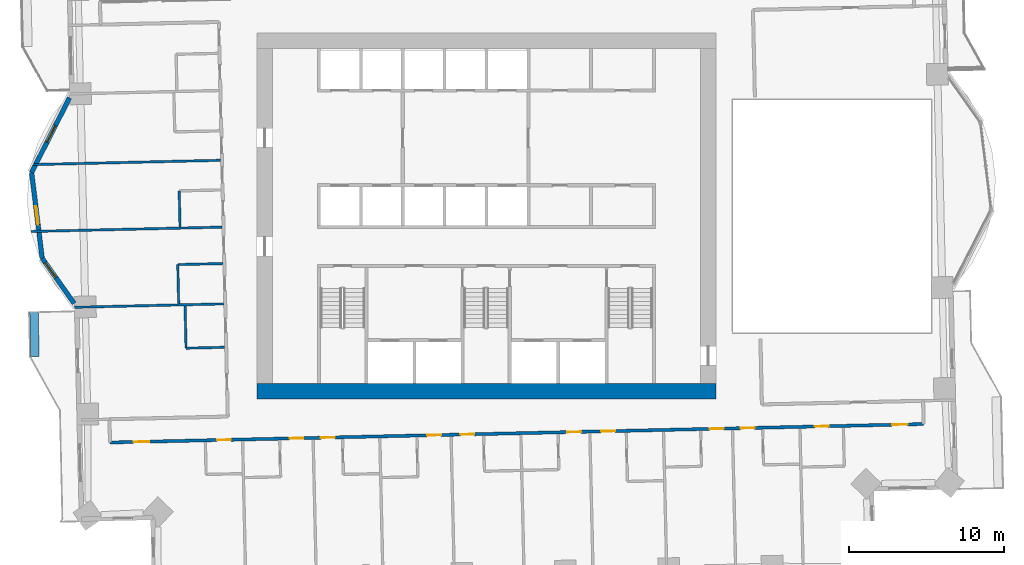
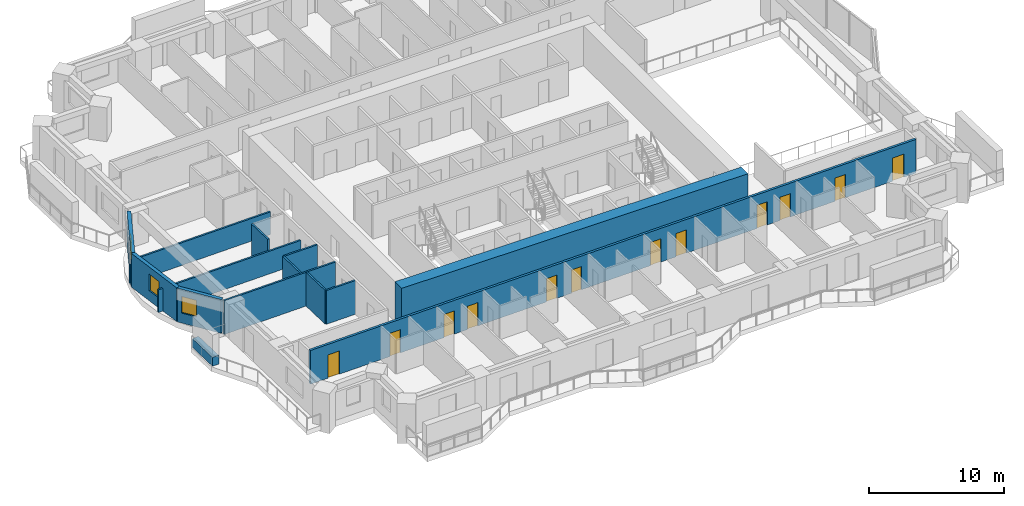
# One storey, part 7 of 17: 14 walls, 12 doors, 3 windows, 15 openings.
"""IFC4 building model written with IfcOpenShell, lengths in metres."""

from ifc_helpers import new_model, si_unit, direction, frame, frame_2d, origin, place, context, subcontext, project, spatial, rectangle, extrude, material, layer, layer_set, type_object, element, fill, save


model = new_model("IFC4")

# Units and contexts
model_context = context("Model", 3, precision=1e-05, world=origin(), true_north=direction((0.0, 1.0)))
body_context = subcontext(model_context, "Body", "Model", "MODEL_VIEW")
ifc_project = project(units=[si_unit("LENGTHUNIT", "METRE"), si_unit("AREAUNIT", "SQUARE_METRE"), si_unit("VOLUMEUNIT", "CUBIC_METRE"), si_unit("PLANEANGLEUNIT", "RADIAN"), si_unit("MASSUNIT", "GRAM", prefix="KILO")], contexts=[model_context])

# Site, building, storey
site_placement = place(None, origin())
site = spatial("IfcSite", under=ifc_project, at=site_placement, CompositionType="ELEMENT")
building_placement = place(site_placement, origin())
building = spatial("IfcBuilding", under=site, at=building_placement, Name="Mangrove Gate Tower", CompositionType="ELEMENT")
storey_placement = place(building_placement, frame((0.0, 0.0, 90.10009765625)))
storey = spatial("IfcBuildingStorey", under=building, at=storey_placement, Name="L22", CompositionType="ELEMENT", Elevation=90.10009765625)

# Wall
ifc_material_1 = material(Name="Concrete C70/85", Category="concrete")
ifc_layer_1 = layer(ifc_material_1, 1.0)
ifc_layer_set_1 = layer_set([ifc_layer_1], Name="Core wall 1000 C70/85")
wall_type_1 = type_object("IfcWallType", Name="Core wall 1000 C70/85", PredefinedType="SHEAR", material=ifc_layer_set_1)
wall_1_placement = place(storey_placement, frame((-14.800048828125, -11.300048828125, 0.0), z_axis=(0.0, 0.0, 1.0), x_axis=(1.0, 0.0, 0.0)))
element("IfcWall", 1, at=wall_1_placement, inside=storey, type_object=wall_type_1, Name="WALL-L22-CORE-1", PredefinedType="SHEAR", context=body_context, shape_type="SweptSolid", body=[
    extrude(rectangle(XDim=29.60009765625, YDim=1.0, at=frame_2d((14.800048828125, 0.0))), origin(), (0.0, 0.0, 1.0), 3.599853515625),
])

# Wall, openings, doors
ifc_material_2 = material(Name="Gypsum board on steel stud, EI 60", Category="steel")
ifc_layer_2 = layer(ifc_material_2, 0.199951171875)
ifc_layer_set_2 = layer_set([ifc_layer_2], Name="Corridor wall EI 60")
wall_type_2 = type_object("IfcWallType", Name="Corridor wall EI 60", PredefinedType="PARTITIONING", material=ifc_layer_set_2)
wall_2_placement = place(storey_placement, frame((-24.27392578125, -14.591064453125, 0.0), z_axis=(0.0, 0.0, 1.0), x_axis=(0.999742718753, 0.022682510909, 0.0)))
wall_2 = element("IfcWall", 2, at=wall_2_placement, inside=storey, type_object=wall_type_2, Name="WALL-L22-030", PredefinedType="PARTITIONING", context=body_context, shape_type="SweptSolid", body=[
    extrude(rectangle(XDim=52.471435546875, YDim=0.199951171875, at=frame_2d((26.23583984375, 0.0))), origin(), (0.0, 0.0, 1.0), 3.0498046875),
])
opening_1_placement = place(wall_2_placement, frame((1.52490234375, 0.0, 0.0)))
opening_1 = element("IfcOpeningElement", 3, at=opening_1_placement, cuts=wall_2, Name="Opening AD", PredefinedType="OPENING", context=body_context, shape_type="SweptSolid", body=[
    extrude(rectangle(XDim=1.0, YDim=2.10009765625, at=frame_2d((0.5, 1.050048828125))), frame((0.0, 0.10986328125, 0.0), z_axis=(0.0, -1.0, 0.0), x_axis=(1.0, 0.0, 0.0)), (0.0, 0.0, 1.0), 0.219970703125),
])
opening_2_placement = place(wall_2_placement, frame((6.89990234375, 0.0, 0.0)))
opening_2 = element("IfcOpeningElement", 4, at=opening_2_placement, cuts=wall_2, Name="Opening SD", PredefinedType="OPENING", context=body_context, shape_type="SweptSolid", body=[
    extrude(rectangle(XDim=0.89990234375, YDim=2.10009765625, at=frame_2d((0.449951171875, 1.050048828125))), frame((0.0, 0.10986328125, 0.0), z_axis=(0.0, -1.0, 0.0), x_axis=(1.0, 0.0, 0.0)), (0.0, 0.0, 1.0), 0.219970703125),
])
opening_3_placement = place(wall_2_placement, frame((11.574951171875, 0.0, 0.0)))
opening_3 = element("IfcOpeningElement", 5, at=opening_3_placement, cuts=wall_2, Name="Opening BD", PredefinedType="OPENING", context=body_context, shape_type="SweptSolid", body=[
    extrude(rectangle(XDim=0.89990234375, YDim=2.10009765625, at=frame_2d((0.449951171875, 1.050048828125))), frame((0.0, 0.10986328125, 0.0), z_axis=(0.0, -1.0, 0.0), x_axis=(1.0, 0.0, 0.0)), (0.0, 0.0, 1.0), 0.219970703125),
])
opening_4_placement = place(wall_2_placement, frame((13.60009765625, 0.0, 0.0)))
opening_4 = element("IfcOpeningElement", 6, at=opening_4_placement, cuts=wall_2, Name="Opening BD", PredefinedType="OPENING", context=body_context, shape_type="SweptSolid", body=[
    extrude(rectangle(XDim=0.89990234375, YDim=2.10009765625, at=frame_2d((0.449951171875, 1.050048828125))), frame((0.0, 0.10986328125, 0.0), z_axis=(0.0, -1.0, 0.0), x_axis=(1.0, 0.0, 0.0)), (0.0, 0.0, 1.0), 0.219970703125),
])
opening_5_placement = place(wall_2_placement, frame((20.449951171875, 0.0, 0.0)))
opening_5 = element("IfcOpeningElement", 7, at=opening_5_placement, cuts=wall_2, Name="Opening BD", PredefinedType="OPENING", context=body_context, shape_type="SweptSolid", body=[
    extrude(rectangle(XDim=0.89990234375, YDim=2.10009765625, at=frame_2d((0.449951171875, 1.050048828125))), frame((0.0, 0.10986328125, 0.0), z_axis=(0.0, -1.0, 0.0), x_axis=(1.0, 0.0, 0.0)), (0.0, 0.0, 1.0), 0.219970703125),
])
opening_6_placement = place(wall_2_placement, frame((22.60009765625, 0.0, 0.0)))
opening_6 = element("IfcOpeningElement", 8, at=opening_6_placement, cuts=wall_2, Name="Opening BD", PredefinedType="OPENING", context=body_context, shape_type="SweptSolid", body=[
    extrude(rectangle(XDim=0.89990234375, YDim=2.10009765625, at=frame_2d((0.449951171875, 1.050048828125))), frame((0.0, 0.10986328125, 0.0), z_axis=(0.0, -1.0, 0.0), x_axis=(1.0, 0.0, 0.0)), (0.0, 0.0, 1.0), 0.219970703125),
])
opening_7_placement = place(wall_2_placement, frame((29.47509765625, 0.0, 0.0)))
opening_7 = element("IfcOpeningElement", 9, at=opening_7_placement, cuts=wall_2, Name="Opening BD", PredefinedType="OPENING", context=body_context, shape_type="SweptSolid", body=[
    extrude(rectangle(XDim=0.89990234375, YDim=2.10009765625, at=frame_2d((0.449951171875, 1.050048828125))), frame((0.0, 0.10986328125, 0.0), z_axis=(0.0, -1.0, 0.0), x_axis=(1.0, 0.0, 0.0)), (0.0, 0.0, 1.0), 0.219970703125),
])
opening_8_placement = place(wall_2_placement, frame((31.675048828125, 0.0, 0.0)))
opening_8 = element("IfcOpeningElement", 10, at=opening_8_placement, cuts=wall_2, Name="Opening BD", PredefinedType="OPENING", context=body_context, shape_type="SweptSolid", body=[
    extrude(rectangle(XDim=0.89990234375, YDim=2.10009765625, at=frame_2d((0.449951171875, 1.050048828125))), frame((0.0, 0.10986328125, 0.0), z_axis=(0.0, -1.0, 0.0), x_axis=(1.0, 0.0, 0.0)), (0.0, 0.0, 1.0), 0.219970703125),
])
opening_9_placement = place(wall_2_placement, frame((38.675048828125, 0.0, 0.0)))
opening_9 = element("IfcOpeningElement", 11, at=opening_9_placement, cuts=wall_2, Name="Opening BD", PredefinedType="OPENING", context=body_context, shape_type="SweptSolid", body=[
    extrude(rectangle(XDim=0.89990234375, YDim=2.10009765625, at=frame_2d((0.449951171875, 1.050048828125))), frame((0.0, 0.10986328125, 0.0), z_axis=(0.0, -1.0, 0.0), x_axis=(1.0, 0.0, 0.0)), (0.0, 0.0, 1.0), 0.219970703125),
])
opening_10_placement = place(wall_2_placement, frame((40.675048828125, 0.0, 0.0)))
opening_10 = element("IfcOpeningElement", 12, at=opening_10_placement, cuts=wall_2, Name="Opening BD", PredefinedType="OPENING", context=body_context, shape_type="SweptSolid", body=[
    extrude(rectangle(XDim=0.89990234375, YDim=2.10009765625, at=frame_2d((0.449951171875, 1.050048828125))), frame((0.0, 0.10986328125, 0.0), z_axis=(0.0, -1.0, 0.0), x_axis=(1.0, 0.0, 0.0)), (0.0, 0.0, 1.0), 0.219970703125),
])
opening_11_placement = place(wall_2_placement, frame((50.43603515625, 0.0, 0.0)))
opening_11 = element("IfcOpeningElement", 13, at=opening_11_placement, cuts=wall_2, Name="Opening AD", PredefinedType="OPENING", context=body_context, shape_type="SweptSolid", body=[
    extrude(rectangle(XDim=1.0, YDim=2.10009765625, at=frame_2d((0.5, 1.050048828125))), frame((0.0, 0.10986328125, 0.0), z_axis=(0.0, -1.0, 0.0), x_axis=(1.0, 0.0, 0.0)), (0.0, 0.0, 1.0), 0.219970703125),
])
opening_12_placement = place(wall_2_placement, frame((45.449951171875, 0.0, 0.0)))
opening_12 = element("IfcOpeningElement", 14, at=opening_12_placement, cuts=wall_2, Name="Opening SD", PredefinedType="OPENING", context=body_context, shape_type="SweptSolid", body=[
    extrude(rectangle(XDim=0.89990234375, YDim=2.10009765625, at=frame_2d((0.449951171875, 1.050048828125))), frame((0.0, 0.10986328125, 0.0), z_axis=(0.0, -1.0, 0.0), x_axis=(1.0, 0.0, 0.0)), (0.0, 0.0, 1.0), 0.219970703125),
])
ifc_material_3 = material(Name="Timber door leaf", Category="wood")
door_type_1 = type_object("IfcDoorType", Name="Amenity door 1000", OperationType="SINGLE_SWING_LEFT", PredefinedType="DOOR", material=ifc_material_3)
door_1_placement = place(opening_1_placement, origin())
door_1 = element("IfcDoor", 15, at=door_1_placement, inside=storey, type_object=door_type_1, Name="DOOR-L22-LNG-c1a", OperationType="SINGLE_SWING_LEFT", OverallHeight=2.10009765625, OverallWidth=1.0, PredefinedType="DOOR", context=body_context, shape_type="SweptSolid", body=[
    extrude(rectangle(XDim=1.0, YDim=2.10009765625, at=frame_2d((0.5, 1.050048828125))), frame((0.0, 0.02490234375, 0.0), z_axis=(0.0, -1.0, 0.0), x_axis=(1.0, 0.0, 0.0)), (0.0, 0.0, 1.0), 0.050048828125),
])
fill(opening_1, door_1)
door_2_placement = place(opening_11_placement, origin())
door_2 = element("IfcDoor", 16, at=door_2_placement, inside=storey, type_object=door_type_1, Name="DOOR-L22-STU-c3a", OperationType="SINGLE_SWING_RIGHT", OverallHeight=2.10009765625, OverallWidth=1.0, PredefinedType="DOOR", context=body_context, shape_type="SweptSolid", body=[
    extrude(rectangle(XDim=1.0, YDim=2.10009765625, at=frame_2d((0.5, 1.050048828125))), frame((0.0, 0.02490234375, 0.0), z_axis=(0.0, -1.0, 0.0), x_axis=(1.0, 0.0, 0.0)), (0.0, 0.0, 1.0), 0.050048828125),
])
fill(opening_11, door_2)
ifc_material_4 = material(Name="Timber door leaf", Category="wood")
door_type_2 = type_object("IfcDoorType", Name="Bedroom door 900", OperationType="SINGLE_SWING_LEFT", PredefinedType="DOOR", material=ifc_material_4)
door_3_placement = place(opening_3_placement, origin())
door_3 = element("IfcDoor", 17, at=door_3_placement, inside=storey, type_object=door_type_2, Name="DOOR-L22-BED-c101", OperationType="SINGLE_SWING_LEFT", OverallHeight=2.10009765625, OverallWidth=0.89990234375, PredefinedType="DOOR", context=body_context, shape_type="SweptSolid", body=[
    extrude(rectangle(XDim=0.89990234375, YDim=2.10009765625, at=frame_2d((0.449951171875, 1.050048828125))), frame((0.0, 0.02490234375, 0.0), z_axis=(0.0, -1.0, 0.0), x_axis=(1.0, 0.0, 0.0)), (0.0, 0.0, 1.0), 0.050048828125),
])
fill(opening_3, door_3)
door_4_placement = place(opening_4_placement, origin())
door_4 = element("IfcDoor", 18, at=door_4_placement, inside=storey, type_object=door_type_2, Name="DOOR-L22-BED-c102", OperationType="SINGLE_SWING_RIGHT", OverallHeight=2.10009765625, OverallWidth=0.89990234375, PredefinedType="DOOR", context=body_context, shape_type="SweptSolid", body=[
    extrude(rectangle(XDim=0.89990234375, YDim=2.10009765625, at=frame_2d((0.449951171875, 1.050048828125))), frame((0.0, 0.02490234375, 0.0), z_axis=(0.0, -1.0, 0.0), x_axis=(1.0, 0.0, 0.0)), (0.0, 0.0, 1.0), 0.050048828125),
])
fill(opening_4, door_4)
door_5_placement = place(opening_5_placement, origin())
door_5 = element("IfcDoor", 19, at=door_5_placement, inside=storey, type_object=door_type_2, Name="DOOR-L22-BED-c103", OperationType="SINGLE_SWING_LEFT", OverallHeight=2.10009765625, OverallWidth=0.89990234375, PredefinedType="DOOR", context=body_context, shape_type="SweptSolid", body=[
    extrude(rectangle(XDim=0.89990234375, YDim=2.10009765625, at=frame_2d((0.449951171875, 1.050048828125))), frame((0.0, 0.02490234375, 0.0), z_axis=(0.0, -1.0, 0.0), x_axis=(1.0, 0.0, 0.0)), (0.0, 0.0, 1.0), 0.050048828125),
])
fill(opening_5, door_5)
door_6_placement = place(opening_6_placement, origin())
door_6 = element("IfcDoor", 20, at=door_6_placement, inside=storey, type_object=door_type_2, Name="DOOR-L22-BED-c104", OperationType="SINGLE_SWING_RIGHT", OverallHeight=2.10009765625, OverallWidth=0.89990234375, PredefinedType="DOOR", context=body_context, shape_type="SweptSolid", body=[
    extrude(rectangle(XDim=0.89990234375, YDim=2.10009765625, at=frame_2d((0.449951171875, 1.050048828125))), frame((0.0, 0.02490234375, 0.0), z_axis=(0.0, -1.0, 0.0), x_axis=(1.0, 0.0, 0.0)), (0.0, 0.0, 1.0), 0.050048828125),
])
fill(opening_6, door_6)
door_7_placement = place(opening_7_placement, origin())
door_7 = element("IfcDoor", 21, at=door_7_placement, inside=storey, type_object=door_type_2, Name="DOOR-L22-BED-c205", OperationType="SINGLE_SWING_LEFT", OverallHeight=2.10009765625, OverallWidth=0.89990234375, PredefinedType="DOOR", context=body_context, shape_type="SweptSolid", body=[
    extrude(rectangle(XDim=0.89990234375, YDim=2.10009765625, at=frame_2d((0.449951171875, 1.050048828125))), frame((0.0, 0.02490234375, 0.0), z_axis=(0.0, -1.0, 0.0), x_axis=(1.0, 0.0, 0.0)), (0.0, 0.0, 1.0), 0.050048828125),
])
fill(opening_7, door_7)
door_8_placement = place(opening_8_placement, origin())
door_8 = element("IfcDoor", 22, at=door_8_placement, inside=storey, type_object=door_type_2, Name="DOOR-L22-BED-c206", OperationType="SINGLE_SWING_RIGHT", OverallHeight=2.10009765625, OverallWidth=0.89990234375, PredefinedType="DOOR", context=body_context, shape_type="SweptSolid", body=[
    extrude(rectangle(XDim=0.89990234375, YDim=2.10009765625, at=frame_2d((0.449951171875, 1.050048828125))), frame((0.0, 0.02490234375, 0.0), z_axis=(0.0, -1.0, 0.0), x_axis=(1.0, 0.0, 0.0)), (0.0, 0.0, 1.0), 0.050048828125),
])
fill(opening_8, door_8)
door_9_placement = place(opening_9_placement, origin())
door_9 = element("IfcDoor", 23, at=door_9_placement, inside=storey, type_object=door_type_2, Name="DOOR-L22-BED-c207", OperationType="SINGLE_SWING_LEFT", OverallHeight=2.10009765625, OverallWidth=0.89990234375, PredefinedType="DOOR", context=body_context, shape_type="SweptSolid", body=[
    extrude(rectangle(XDim=0.89990234375, YDim=2.10009765625, at=frame_2d((0.449951171875, 1.050048828125))), frame((0.0, 0.02490234375, 0.0), z_axis=(0.0, -1.0, 0.0), x_axis=(1.0, 0.0, 0.0)), (0.0, 0.0, 1.0), 0.050048828125),
])
fill(opening_9, door_9)
door_10_placement = place(opening_10_placement, origin())
door_10 = element("IfcDoor", 24, at=door_10_placement, inside=storey, type_object=door_type_2, Name="DOOR-L22-BED-c308", OperationType="SINGLE_SWING_RIGHT", OverallHeight=2.10009765625, OverallWidth=0.89990234375, PredefinedType="DOOR", context=body_context, shape_type="SweptSolid", body=[
    extrude(rectangle(XDim=0.89990234375, YDim=2.10009765625, at=frame_2d((0.449951171875, 1.050048828125))), frame((0.0, 0.02490234375, 0.0), z_axis=(0.0, -1.0, 0.0), x_axis=(1.0, 0.0, 0.0)), (0.0, 0.0, 1.0), 0.050048828125),
])
fill(opening_10, door_10)
ifc_material_5 = material(Name="Timber door leaf", Category="wood")
door_type_3 = type_object("IfcDoorType", Name="Service room door 900", OperationType="SINGLE_SWING_LEFT", PredefinedType="DOOR", material=ifc_material_5)
door_11_placement = place(opening_2_placement, origin())
door_11 = element("IfcDoor", 25, at=door_11_placement, inside=storey, type_object=door_type_3, Name="DOOR-L22-LIN-c1a", OperationType="SINGLE_SWING_LEFT", OverallHeight=2.10009765625, OverallWidth=0.89990234375, PredefinedType="DOOR", context=body_context, shape_type="SweptSolid", body=[
    extrude(rectangle(XDim=0.89990234375, YDim=2.10009765625, at=frame_2d((0.449951171875, 1.050048828125))), frame((0.0, 0.02490234375, 0.0), z_axis=(0.0, -1.0, 0.0), x_axis=(1.0, 0.0, 0.0)), (0.0, 0.0, 1.0), 0.050048828125),
])
fill(opening_2, door_11)
door_12_placement = place(opening_12_placement, origin())
door_12 = element("IfcDoor", 26, at=door_12_placement, inside=storey, type_object=door_type_3, Name="DOOR-L22-LDY-c3a", OperationType="SINGLE_SWING_RIGHT", OverallHeight=2.10009765625, OverallWidth=0.89990234375, PredefinedType="DOOR", context=body_context, shape_type="SweptSolid", body=[
    extrude(rectangle(XDim=0.89990234375, YDim=2.10009765625, at=frame_2d((0.449951171875, 1.050048828125))), frame((0.0, 0.02490234375, 0.0), z_axis=(0.0, -1.0, 0.0), x_axis=(1.0, 0.0, 0.0)), (0.0, 0.0, 1.0), 0.050048828125),
])
fill(opening_12, door_12)

# Wall, opening, window
ifc_material_6 = material(Name="Limestone", Category="masonry")
ifc_layer_3 = layer(ifc_material_6, 0.0400390625, Name="Limestone cladding")
ifc_material_7 = material(Name="Ventilated air gap")
ifc_layer_4 = layer(ifc_material_7, 0.0400390625, Name="Ventilated cavity")
ifc_material_8 = material(Name="Mineral wool insulation")
ifc_layer_5 = layer(ifc_material_8, 0.06005859375, Name="Insulation")
ifc_material_9 = material(Name="Breather membrane")
ifc_layer_6 = layer(ifc_material_9, 0.001953125, Name="Breather membrane")
ifc_material_10 = material(Name="Concrete C20/25 blockwork", Category="masonry")
ifc_layer_7 = layer(ifc_material_10, 0.14990234375, Name="Blockwork backing wall")
ifc_material_11 = material(Name="Gypsum plaster")
ifc_layer_8 = layer(ifc_material_11, 0.008056640625, Name="Internal plaster")
ifc_layer_set_3 = layer_set([ifc_layer_3, ifc_layer_4, ifc_layer_5, ifc_layer_6, ifc_layer_7, ifc_layer_8], Name="External wall 300 limestone cladding")
wall_type_3 = type_object("IfcWallType", Name="External wall 300 limestone cladding", PredefinedType="SOLIDWALL", material=ifc_layer_set_3)
wall_3_placement = place(storey_placement, frame((-26.888916015625, 7.635009765625, 0.0), z_axis=(0.0, 0.0, 1.0), x_axis=(-0.452633159278, -0.891696822425, 0.0)))
wall_3 = element("IfcWall", 27, at=wall_3_placement, inside=storey, type_object=wall_type_3, Name="WALL-L22-W9f1", PredefinedType="SOLIDWALL", context=body_context, shape_type="SweptSolid", body=[
    extrude(rectangle(XDim=5.3974609375, YDim=0.300048828125, at=frame_2d((2.69873046875, 0.0))), origin(), (0.0, 0.0, 1.0), 3.0498046875),
])
opening_13_placement = place(wall_3_placement, frame((2.007080078125, 0.0, 0.89990234375)))
opening_13 = element("IfcOpeningElement", 28, at=opening_13_placement, cuts=wall_3, Name="Opening W1", PredefinedType="OPENING", context=body_context, shape_type="SweptSolid", body=[
    extrude(rectangle(XDim=1.199951171875, YDim=1.5, at=frame_2d((0.60009765625, 0.75))), frame((0.0, 0.159912109375, 0.0), z_axis=(0.0, -1.0, 0.0), x_axis=(1.0, 0.0, 0.0)), (0.0, 0.0, 1.0), 0.320068359375),
])
ifc_material_12 = material(Name="Aluminium frame with double-glazed low-e glass", Category="aluminium")
window_type = type_object("IfcWindowType", Name="Side lite 1200x1500", PartitioningType="SINGLE_PANEL", PredefinedType="WINDOW", material=ifc_material_12)
window_1_placement = place(opening_13_placement, origin())
window_1 = element("IfcWindow", 29, at=window_1_placement, inside=storey, type_object=window_type, Name="WIN-L22-W9f1", OverallHeight=1.5, OverallWidth=1.199951171875, PartitioningType="SINGLE_PANEL", PredefinedType="WINDOW", context=body_context, shape_type="SweptSolid", body=[
    extrude(rectangle(XDim=1.199951171875, YDim=1.5, at=frame_2d((0.60009765625, 0.75))), frame((0.0, 0.030029296875, 0.0), z_axis=(0.0, -1.0, 0.0), x_axis=(1.0, 0.0, 0.0)), (0.0, 0.0, 1.0), 0.06005859375),
])
fill(opening_13, window_1)

wall_4_placement = place(storey_placement, frame((-29.33203125, 2.822021484375, 0.0), z_axis=(0.0, 0.0, 1.0), x_axis=(0.122206978992, -0.992504636909, 0.0)))
wall_4 = element("IfcWall", 30, at=wall_4_placement, inside=storey, type_object=wall_type_3, Name="WALL-L22-W9f2", PredefinedType="SOLIDWALL", context=body_context, shape_type="SweptSolid", body=[
    extrude(rectangle(XDim=5.57373046875, YDim=0.300048828125, at=frame_2d((2.786865234375, 0.0))), origin(), (0.0, 0.0, 1.0), 3.0498046875),
])
opening_14_placement = place(wall_4_placement, frame((2.18701171875, 0.0, 0.89990234375)))
opening_14 = element("IfcOpeningElement", 31, at=opening_14_placement, cuts=wall_4, Name="Opening W1", PredefinedType="OPENING", context=body_context, shape_type="SweptSolid", body=[
    extrude(rectangle(XDim=1.199951171875, YDim=1.5, at=frame_2d((0.60009765625, 0.75))), frame((0.0, 0.159912109375, 0.0), z_axis=(0.0, -1.0, 0.0), x_axis=(1.0, 0.0, 0.0)), (0.0, 0.0, 1.0), 0.320068359375),
])
window_2_placement = place(opening_14_placement, origin())
window_2 = element("IfcWindow", 32, at=window_2_placement, inside=storey, type_object=window_type, Name="WIN-L22-W9f2", OverallHeight=1.5, OverallWidth=1.199951171875, PartitioningType="SINGLE_PANEL", PredefinedType="WINDOW", context=body_context, shape_type="SweptSolid", body=[
    extrude(rectangle(XDim=1.199951171875, YDim=1.5, at=frame_2d((0.60009765625, 0.75))), frame((0.0, 0.030029296875, 0.0), z_axis=(0.0, -1.0, 0.0), x_axis=(1.0, 0.0, 0.0)), (0.0, 0.0, 1.0), 0.06005859375),
])
fill(opening_14, window_2)

wall_5_placement = place(storey_placement, frame((-28.65087890625, -2.7099609375, 0.0), z_axis=(0.0, 0.0, 1.0), x_axis=(0.577964171051, -0.816062140392, 0.0)))
wall_5 = element("IfcWall", 33, at=wall_5_placement, inside=storey, type_object=wall_type_3, Name="WALL-L22-W9f3", PredefinedType="SOLIDWALL", context=body_context, shape_type="SweptSolid", body=[
    extrude(rectangle(XDim=3.5673828125, YDim=0.300048828125, at=frame_2d((1.78369140625, 0.0))), origin(), (0.0, 0.0, 1.0), 3.0498046875),
])
opening_15_placement = place(wall_5_placement, frame((0.3369140625, 0.0, 0.89990234375)))
opening_15 = element("IfcOpeningElement", 34, at=opening_15_placement, cuts=wall_5, Name="Opening W1", PredefinedType="OPENING", context=body_context, shape_type="SweptSolid", body=[
    extrude(rectangle(XDim=1.199951171875, YDim=1.5, at=frame_2d((0.60009765625, 0.75))), frame((0.0, 0.159912109375, 0.0), z_axis=(0.0, -1.0, 0.0), x_axis=(1.0, 0.0, 0.0)), (0.0, 0.0, 1.0), 0.320068359375),
])
window_3_placement = place(opening_15_placement, origin())
window_3 = element("IfcWindow", 35, at=window_3_placement, inside=storey, type_object=window_type, Name="WIN-L22-W9f3", OverallHeight=1.5, OverallWidth=1.199951171875, PartitioningType="SINGLE_PANEL", PredefinedType="WINDOW", context=body_context, shape_type="SweptSolid", body=[
    extrude(rectangle(XDim=1.199951171875, YDim=1.5, at=frame_2d((0.60009765625, 0.75))), frame((0.0, 0.030029296875, 0.0), z_axis=(0.0, -1.0, 0.0), x_axis=(1.0, 0.0, 0.0)), (0.0, 0.0, 1.0), 0.06005859375),
])
fill(opening_15, window_3)

# Walls
ifc_material_13 = material(Name="Gypsum board on steel stud, EI 60", Category="steel")
ifc_layer_9 = layer(ifc_material_13, 0.14990234375)
ifc_layer_set_4 = layer_set([ifc_layer_9], Name="Party wall 150 EI 60")
wall_type_4 = type_object("IfcWallType", Name="Party wall 150 EI 60", PredefinedType="PARTITIONING", material=ifc_layer_set_4)
wall_6_placement = place(storey_placement, frame((-19.3798828125, -8.509033203125, 0.0), z_axis=(0.0, 0.0, 1.0), x_axis=(0.999738750294, 0.02285675306, 0.0)))
element("IfcWall", 36, at=wall_6_placement, inside=storey, type_object=wall_type_4, Name="WALL-L22-038", PredefinedType="PARTITIONING", context=body_context, shape_type="SweptSolid", body=[
    extrude(rectangle(XDim=2.49951171875, YDim=0.14990234375, at=frame_2d((1.249755859375, 0.0))), origin(), (0.0, 0.0, 1.0), 3.0498046875),
])
wall_7_placement = place(storey_placement, frame((-19.375, -8.5029296875, 0.0), z_axis=(0.0, 0.0, 1.0), x_axis=(-0.022760079124, 0.999740955847, 0.0)))
element("IfcWall", 37, at=wall_7_placement, inside=storey, type_object=wall_type_4, Name="WALL-L22-039", PredefinedType="PARTITIONING", context=body_context, shape_type="SweptSolid", body=[
    extrude(rectangle(XDim=2.724609375, YDim=0.14990234375, at=frame_2d((1.3623046875, 0.0))), origin(), (0.0, 0.0, 1.0), 3.0498046875),
])
wall_8_placement = place(storey_placement, frame((-26.572998046875, -5.87109375, 0.0), z_axis=(0.0, 0.0, 1.0), x_axis=(0.999743768709, 0.022636186244, 0.0)))
element("IfcWall", 38, at=wall_8_placement, inside=storey, type_object=wall_type_4, Name="WALL-L22-040", PredefinedType="PARTITIONING", context=body_context, shape_type="SweptSolid", body=[
    extrude(rectangle(XDim=9.63134765625, YDim=0.14990234375, at=frame_2d((4.815673828125, 0.0))), origin(), (0.0, 0.0, 1.0), 3.0498046875),
])
wall_9_placement = place(storey_placement, frame((-19.85009765625, -5.638916015625, 0.0), z_axis=(0.0, 0.0, 1.0), x_axis=(-0.022523775833, 0.999746307581, 0.0)))
element("IfcWall", 39, at=wall_9_placement, inside=storey, type_object=wall_type_4, Name="WALL-L22-041", PredefinedType="PARTITIONING", context=body_context, shape_type="SweptSolid", body=[
    extrude(rectangle(XDim=2.525634765625, YDim=0.14990234375, at=frame_2d((1.2626953125, 0.0))), origin(), (0.0, 0.0, 1.0), 3.0498046875),
])
wall_10_placement = place(storey_placement, frame((-19.902099609375, -3.118896484375, 0.0), z_axis=(0.0, 0.0, 1.0), x_axis=(0.999741618182, 0.022730967319, 0.0)))
element("IfcWall", 40, at=wall_10_placement, inside=storey, type_object=wall_type_4, Name="WALL-L22-042", PredefinedType="PARTITIONING", context=body_context, shape_type="SweptSolid", body=[
    extrude(rectangle(XDim=2.89990234375, YDim=0.14990234375, at=frame_2d((1.449951171875, 0.0))), origin(), (0.0, 0.0, 1.0), 3.0498046875),
])
wall_11_placement = place(storey_placement, frame((-29.385986328125, -0.98388671875, 0.0), z_axis=(0.0, 0.0, 1.0), x_axis=(0.999742652464, 0.022685432436, 0.0)))
element("IfcWall", 41, at=wall_11_placement, inside=storey, type_object=wall_type_4, Name="WALL-L22-043", PredefinedType="PARTITIONING", context=body_context, shape_type="SweptSolid", body=[
    extrude(rectangle(XDim=12.333251953125, YDim=0.14990234375, at=frame_2d((6.16650390625, 0.0))), origin(), (0.0, 0.0, 1.0), 2.0498046875),
])
wall_12_placement = place(storey_placement, frame((-19.762939453125, -0.68505859375, 0.0), z_axis=(0.0, 0.0, 1.0), x_axis=(-0.022370700241, 0.999749744571, 0.0)))
element("IfcWall", 42, at=wall_12_placement, inside=storey, type_object=wall_type_4, Name="WALL-L22-044", PredefinedType="PARTITIONING", context=body_context, shape_type="SweptSolid", body=[
    extrude(rectangle(XDim=2.324462890625, YDim=0.14990234375, at=frame_2d((1.162109375, 0.0))), origin(), (0.0, 0.0, 1.0), 3.0498046875),
])
wall_13_placement = place(storey_placement, frame((-29.344970703125, 3.327880859375, 0.0), z_axis=(0.0, 0.0, 1.0), x_axis=(0.999741773524, 0.022724134116, 0.0)))
element("IfcWall", 43, at=wall_13_placement, inside=storey, type_object=wall_type_4, Name="WALL-L22-046", PredefinedType="PARTITIONING", context=body_context, shape_type="SweptSolid", body=[
    extrude(rectangle(XDim=12.194091796875, YDim=0.14990234375, at=frame_2d((6.09716796875, 0.0))), origin(), (0.0, 0.0, 1.0), 2.0498046875),
])
ifc_material_14 = material(Name="Concrete C32/40", Category="concrete")
ifc_layer_10 = layer(ifc_material_14, 0.199951171875, Name="Planter trough wall")
ifc_material_15 = material(Name="Bituminous waterproofing membrane")
ifc_layer_11 = layer(ifc_material_15, 0.0048828125, Name="Waterproofing")
ifc_material_16 = material(Name="Drainage board and gravel")
ifc_layer_12 = layer(ifc_material_16, 0.044921875, Name="Drainage layer")
ifc_material_17 = material(Name="Planting soil")
ifc_layer_13 = layer(ifc_material_17, 0.300048828125, Name="Growing medium")
ifc_layer_set_5 = layer_set([ifc_layer_10, ifc_layer_11, ifc_layer_12, ifc_layer_13], Name="Planter wall 550 C32/40")
wall_type_5 = type_object("IfcWallType", Name="Planter wall 550 C32/40", PredefinedType="USERDEFINED", material=ifc_layer_set_5)
wall_14_placement = place(storey_placement, frame((-29.115966796875, -9.050048828125, 0.0), z_axis=(0.0, 0.0, 1.0), x_axis=(-0.022590224177, 0.999744808324, 0.0)))
element("IfcWall", 44, at=wall_14_placement, inside=storey, type_object=wall_type_5, Name="PLANTER L22 W1.1", ObjectType="PLANTER", PredefinedType="USERDEFINED", context=body_context, shape_type="SweptSolid", body=[
    extrude(rectangle(XDim=2.874755859375, YDim=0.550048828125, at=frame_2d((1.4375, 0.0))), origin(), (0.0, 0.0, 1.0), 0.7998046875),
])

save(model, "model.ifc")
